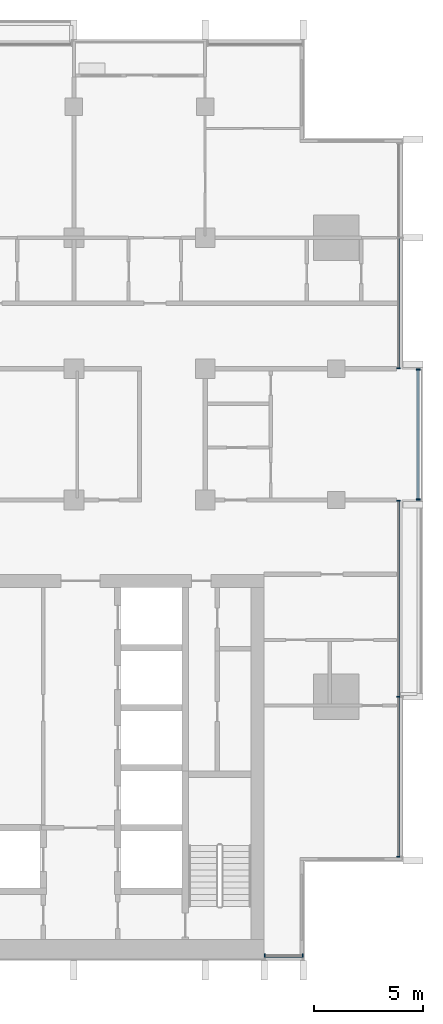
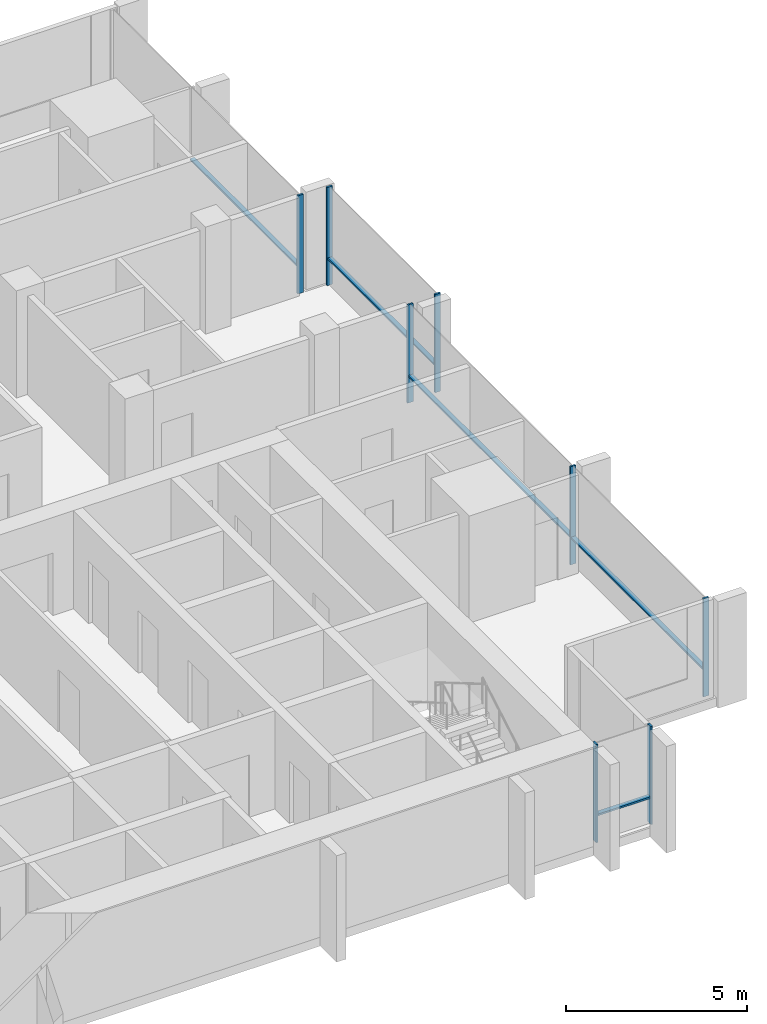
# One storey, part 3 of 16: 13 members, 4 elements without a shape of their own.
"""IFC4 building model written with IfcOpenShell, lengths in metres."""

from ifc_helpers import new_model, si_unit, direction, frame, origin, origin_2d, place, context, subcontext, project, spatial, rectangle, extrude, material, material_profile, profile_set, type_object, element, aggregate, save


model = new_model("IFC4")

# Units and contexts
model_context = context("Model", 3, precision=1e-05, world=origin(), true_north=direction((0.0, 1.0)))
body_context = subcontext(model_context, "Body", "Model", "MODEL_VIEW")
ifc_project = project(units=[si_unit("LENGTHUNIT", "METRE"), si_unit("AREAUNIT", "SQUARE_METRE"), si_unit("VOLUMEUNIT", "CUBIC_METRE"), si_unit("PLANEANGLEUNIT", "RADIAN"), si_unit("MASSUNIT", "GRAM", prefix="KILO")], contexts=[model_context])

# Site, building, storey
site_placement = place(None, origin())
site = spatial("IfcSite", under=ifc_project, at=site_placement, CompositionType="ELEMENT")
building_placement = place(site_placement, origin())
building = spatial("IfcBuilding", under=site, at=building_placement, Name="Finial Court Residences", CompositionType="ELEMENT")
storey_placement = place(building_placement, frame((0.0, 0.0, 219.5)))
storey = spatial("IfcBuildingStorey", under=building, at=storey_placement, Name="L55", CompositionType="ELEMENT", Elevation=219.5)

# Curtain wall, members
ifc_material = material(Name="Bronze anodised aluminium", Category="aluminium")
curtain_wall_type = type_object("IfcCurtainWallType", Name="Unitised curtain wall, upper zones", PredefinedType="NOTDEFINED", material=ifc_material)
curtain_wall_1_placement = place(storey_placement, origin())
curtain_wall_1 = element("IfcCurtainWall", 1, at=curtain_wall_1_placement, inside=storey, type_object=curtain_wall_type, Name="E-L55-CW-E5", PredefinedType="NOTDEFINED")
ifc_material_profile_1 = material_profile(ifc_material, rectangle(XDim=0.175048828125, YDim=0.06005859375, at=origin_2d()), Name="CW2 mullion 60 x 175")
ifc_profile_set_1 = profile_set([ifc_material_profile_1], Name="Bronze anodised aluminium")
member_type_1 = type_object("IfcMemberType", Name="CW2 mullion 60 x 175", PredefinedType="MULLION", material=ifc_profile_set_1)
member_1_placement = place(storey_placement, frame((19.35009765625, -20.820068359375, 0.0), z_axis=(0.0, 0.0, 1.0), x_axis=(-1.0, 0.0, 0.0)))
member_1 = element("IfcMember", 2, at=member_1_placement, type_object=member_type_1, Name="CW2 mullion 1", PredefinedType="MULLION", context=body_context, shape_type="SweptSolid", body=[
    extrude(rectangle(XDim=0.175048828125, YDim=0.06005859375, at=origin_2d()), origin(), (0.0, 0.0, 1.0), 3.300048828125),
])
member_2_placement = place(storey_placement, frame((19.35009765625, -13.5, 0.0), z_axis=(0.0, 0.0, 1.0), x_axis=(-1.0, 0.0, 0.0)))
member_2 = element("IfcMember", 3, at=member_2_placement, type_object=member_type_1, Name="CW2 mullion 2", PredefinedType="MULLION", context=body_context, shape_type="SweptSolid", body=[
    extrude(rectangle(XDim=0.175048828125, YDim=0.06005859375, at=origin_2d()), origin(), (0.0, 0.0, 1.0), 3.300048828125),
])
member_3_placement = place(storey_placement, frame((19.35009765625, -4.530029296875, 0.0), z_axis=(0.0, 0.0, 1.0), x_axis=(-1.0, 0.0, 0.0)))
member_3 = element("IfcMember", 4, at=member_3_placement, type_object=member_type_1, Name="CW2 mullion 3", PredefinedType="MULLION", context=body_context, shape_type="SweptSolid", body=[
    extrude(rectangle(XDim=0.175048828125, YDim=0.06005859375, at=origin_2d()), origin(), (0.0, 0.0, 1.0), 3.300048828125),
])

curtain_wall_2_placement = place(storey_placement, origin())
curtain_wall_2 = element("IfcCurtainWall", 5, at=curtain_wall_2_placement, inside=storey, type_object=curtain_wall_type, Name="E-L55-CW-E6", PredefinedType="NOTDEFINED")
member_4_placement = place(storey_placement, frame((20.25, -4.469970703125, 0.0), z_axis=(0.0, 0.0, 1.0), x_axis=(-1.0, 0.0, 0.0)))
member_4 = element("IfcMember", 6, at=member_4_placement, type_object=member_type_1, Name="CW2 mullion 1", PredefinedType="MULLION", context=body_context, shape_type="SweptSolid", body=[
    extrude(rectangle(XDim=0.175048828125, YDim=0.06005859375, at=origin_2d()), origin(), (0.0, 0.0, 1.0), 3.300048828125),
])
member_5_placement = place(storey_placement, frame((20.25, 1.469970703125, 0.0), z_axis=(0.0, 0.0, 1.0), x_axis=(-1.0, 0.0, 0.0)))
member_5 = element("IfcMember", 7, at=member_5_placement, type_object=member_type_1, Name="CW2 mullion 2", PredefinedType="MULLION", context=body_context, shape_type="SweptSolid", body=[
    extrude(rectangle(XDim=0.175048828125, YDim=0.06005859375, at=origin_2d()), origin(), (0.0, 0.0, 1.0), 3.300048828125),
])

# Curtain wall, member
curtain_wall_3_placement = place(storey_placement, origin())
curtain_wall_3 = element("IfcCurtainWall", 8, at=curtain_wall_3_placement, inside=storey, type_object=curtain_wall_type, Name="E-L55-CW-E7", PredefinedType="NOTDEFINED")
member_6_placement = place(storey_placement, frame((19.35009765625, 1.530029296875, 0.0), z_axis=(0.0, 0.0, 1.0), x_axis=(-1.0, 0.0, 0.0)))
member_6 = element("IfcMember", 9, at=member_6_placement, type_object=member_type_1, Name="CW2 mullion 1", PredefinedType="MULLION", context=body_context, shape_type="SweptSolid", body=[
    extrude(rectangle(XDim=0.175048828125, YDim=0.06005859375, at=origin_2d()), origin(), (0.0, 0.0, 1.0), 3.300048828125),
])

# Curtain wall, members
curtain_wall_4_placement = place(storey_placement, origin())
curtain_wall_4 = element("IfcCurtainWall", 10, at=curtain_wall_4_placement, inside=storey, type_object=curtain_wall_type, Name="E-L55-CW-S9", PredefinedType="NOTDEFINED")
member_7_placement = place(storey_placement, frame((13.22998046875, -25.35009765625, 0.0), z_axis=(0.0, 0.0, 1.0), x_axis=(0.0, 1.0, 0.0)))
member_7 = element("IfcMember", 11, at=member_7_placement, type_object=member_type_1, Name="CW2 mullion 1", PredefinedType="MULLION", context=body_context, shape_type="SweptSolid", body=[
    extrude(rectangle(XDim=0.175048828125, YDim=0.06005859375, at=origin_2d()), origin(), (0.0, 0.0, 1.0), 3.300048828125),
])
member_8_placement = place(storey_placement, frame((14.969970703125, -25.35009765625, 0.0), z_axis=(0.0, 0.0, 1.0), x_axis=(0.0, 1.0, 0.0)))
member_8 = element("IfcMember", 12, at=member_8_placement, type_object=member_type_1, Name="CW2 mullion 2", PredefinedType="MULLION", context=body_context, shape_type="SweptSolid", body=[
    extrude(rectangle(XDim=0.175048828125, YDim=0.06005859375, at=origin_2d()), origin(), (0.0, 0.0, 1.0), 3.300048828125),
])

# Member
ifc_material_profile_2 = material_profile(ifc_material, rectangle(XDim=0.139892578125, YDim=0.06005859375, at=origin_2d()), Name="CW2 transom 60 x 140")
ifc_profile_set_2 = profile_set([ifc_material_profile_2], Name="Bronze anodised aluminium")
member_type_2 = type_object("IfcMemberType", Name="CW2 transom 60 x 140", PredefinedType="USERDEFINED", material=ifc_profile_set_2)
member_9_placement = place(storey_placement, frame((19.35009765625, -20.7900390625, 0.89990234375), z_axis=(0.0, 1.0, 0.0), x_axis=(-1.0, 0.0, 0.0)))
member_9 = element("IfcMember", 13, at=member_9_placement, type_object=member_type_2, Name="CW2 transom 1.1", ObjectType="TRANSOM", PredefinedType="USERDEFINED", context=body_context, shape_type="SweptSolid", body=[
    extrude(rectangle(XDim=0.139892578125, YDim=0.06005859375, at=origin_2d()), origin(), (0.0, 0.0, 1.0), 7.260009765625),
])

member_10_placement = place(storey_placement, frame((19.35009765625, -13.469970703125, 0.89990234375), z_axis=(0.0, 1.0, 0.0), x_axis=(-1.0, 0.0, 0.0)))
member_10 = element("IfcMember", 14, at=member_10_placement, type_object=member_type_2, Name="CW2 transom 2.1", ObjectType="TRANSOM", PredefinedType="USERDEFINED", context=body_context, shape_type="SweptSolid", body=[
    extrude(rectangle(XDim=0.139892578125, YDim=0.06005859375, at=origin_2d()), origin(), (0.0, 0.0, 1.0), 8.909912109375),
])

aggregate(curtain_wall_1, [member_1, member_2, member_3, member_9, member_10])

member_11_placement = place(storey_placement, frame((20.25, -4.43994140625, 0.89990234375), z_axis=(0.0, 1.0, 0.0), x_axis=(-1.0, 0.0, 0.0)))
member_11 = element("IfcMember", 15, at=member_11_placement, type_object=member_type_2, Name="CW2 transom 1.1", ObjectType="TRANSOM", PredefinedType="USERDEFINED", context=body_context, shape_type="SweptSolid", body=[
    extrude(rectangle(XDim=0.139892578125, YDim=0.06005859375, at=origin_2d()), origin(), (0.0, 0.0, 1.0), 5.8798828125),
])

aggregate(curtain_wall_2, [member_4, member_5, member_11])

member_12_placement = place(storey_placement, frame((19.35009765625, 1.56005859375, 0.89990234375), z_axis=(0.0, 1.0, 0.0), x_axis=(-1.0, 0.0, 0.0)))
member_12 = element("IfcMember", 16, at=member_12_placement, type_object=member_type_2, Name="CW2 transom 1.1", ObjectType="TRANSOM", PredefinedType="USERDEFINED", context=body_context, shape_type="SweptSolid", body=[
    extrude(rectangle(XDim=0.139892578125, YDim=0.06005859375, at=origin_2d()), origin(), (0.0, 0.0, 1.0), 5.909912109375),
])

aggregate(curtain_wall_3, [member_6, member_12])

member_13_placement = place(storey_placement, frame((13.260009765625, -25.35009765625, 0.89990234375), z_axis=(1.0, 0.0, 0.0), x_axis=(0.0, 1.0, 0.0)))
member_13 = element("IfcMember", 17, at=member_13_placement, type_object=member_type_2, Name="CW2 transom 1.1", ObjectType="TRANSOM", PredefinedType="USERDEFINED", context=body_context, shape_type="SweptSolid", body=[
    extrude(rectangle(XDim=0.139892578125, YDim=0.06005859375, at=origin_2d()), origin(), (0.0, 0.0, 1.0), 1.679931640625),
])

aggregate(curtain_wall_4, [member_7, member_8, member_13])

save(model, "model.ifc")
